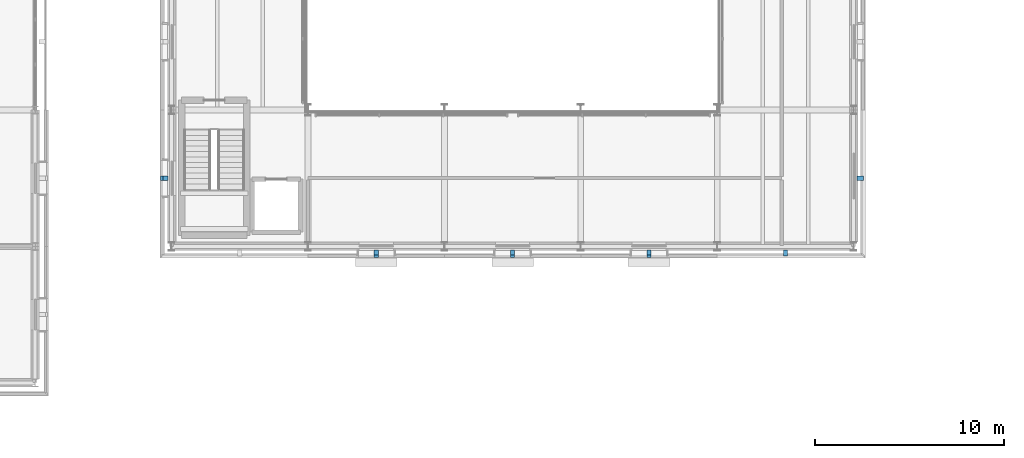
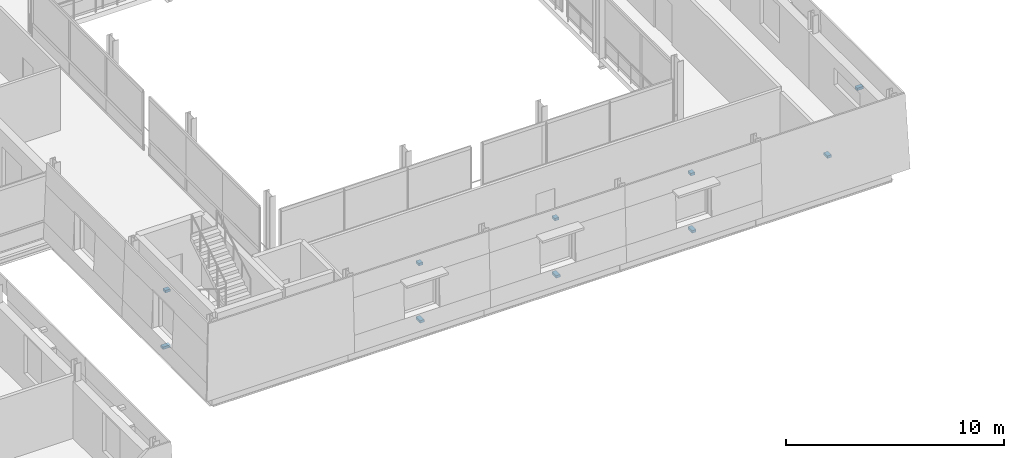
# One storey, part 82 of 115: 10 discrete accessories.
"""IFC4 building model written with IfcOpenShell, lengths in metres."""

from ifc_helpers import new_model, si_unit, direction, frame, origin, origin_2d, place, context, subcontext, project, spatial, rectangle, extrude, material, layer, layer_set, type_object, element, save


model = new_model("IFC4")

# Units and contexts
model_context = context("Model", 3, precision=1e-05, world=origin(), true_north=direction((0.0, 1.0)))
body_context = subcontext(model_context, "Body", "Model", "MODEL_VIEW")
ifc_project = project(units=[si_unit("LENGTHUNIT", "METRE"), si_unit("AREAUNIT", "SQUARE_METRE"), si_unit("VOLUMEUNIT", "CUBIC_METRE"), si_unit("PLANEANGLEUNIT", "RADIAN"), si_unit("MASSUNIT", "GRAM", prefix="KILO")], contexts=[model_context])

# Site, building, storey
site_placement = place(None, origin())
site = spatial("IfcSite", under=ifc_project, at=site_placement, CompositionType="ELEMENT")
building_placement = place(site_placement, origin())
building = spatial("IfcBuilding", under=site, at=building_placement, Name="Narikvali Park Central Library", CompositionType="ELEMENT")
storey_placement = place(building_placement, frame((0.0, 0.0, 10.199951171875)))
storey = spatial("IfcBuildingStorey", under=building, at=storey_placement, Name="L02", CompositionType="ELEMENT", Elevation=10.199951171875)

# Discrete accessories
ifc_material = material(Name="Brushed Stainless Steel S355", Category="steel")
ifc_layer = layer(ifc_material, 0.139892578125, Name="Brushed Stainless Steel S355")
ifc_layer_set = layer_set([ifc_layer], Name="Brushed Stainless Steel S355")
discrete_accessory_type = type_object("IfcDiscreteAccessoryType", Name="Cladding Stainless Tie-Back Corbel Bracket", PredefinedType="BRACKET", material=ifc_layer_set)
discrete_accessory_1_placement = place(storey_placement, frame((75.60009765625, 57.21337890625, 0.4052734375), z_axis=(0.0, 0.0, 1.0), x_axis=(1.0, 0.0, 0.0)))
element("IfcDiscreteAccessory", 1, at=discrete_accessory_1_placement, inside=storey, type_object=discrete_accessory_type, Name="Limestone Cladding Tie-Back Bracket V1-CLD-L02-S-B02-SP", PredefinedType="BRACKET", context=body_context, shape_type="SweptSolid", body=[
    extrude(rectangle(XDim=0.219970703125, YDim=0.393310546875, at=origin_2d()), origin(), (0.0, 0.0, 1.0), 0.139892578125),
])
discrete_accessory_2_placement = place(storey_placement, frame((75.60009765625, 57.27734375, 3.5302734375), z_axis=(0.0, 0.0, 1.0), x_axis=(1.0, 0.0, 0.0)))
element("IfcDiscreteAccessory", 2, at=discrete_accessory_2_placement, inside=storey, type_object=discrete_accessory_type, Name="Limestone Cladding Tie-Back Bracket V1-CLD-L02-S-B02-LN", PredefinedType="BRACKET", context=body_context, shape_type="SweptSolid", body=[
    extrude(rectangle(XDim=0.219970703125, YDim=0.26513671875, at=origin_2d()), origin(), (0.0, 0.0, 1.0), 0.139892578125),
])
discrete_accessory_3_placement = place(storey_placement, frame((82.800048828125, 57.21337890625, 0.4052734375), z_axis=(0.0, 0.0, 1.0), x_axis=(1.0, 0.0, 0.0)))
element("IfcDiscreteAccessory", 3, at=discrete_accessory_3_placement, inside=storey, type_object=discrete_accessory_type, Name="Limestone Cladding Tie-Back Bracket V1-CLD-L02-S-B03-SP", PredefinedType="BRACKET", context=body_context, shape_type="SweptSolid", body=[
    extrude(rectangle(XDim=0.219970703125, YDim=0.393310546875, at=origin_2d()), origin(), (0.0, 0.0, 1.0), 0.139892578125),
])
discrete_accessory_4_placement = place(storey_placement, frame((82.800048828125, 57.27734375, 3.5302734375), z_axis=(0.0, 0.0, 1.0), x_axis=(1.0, 0.0, 0.0)))
element("IfcDiscreteAccessory", 4, at=discrete_accessory_4_placement, inside=storey, type_object=discrete_accessory_type, Name="Limestone Cladding Tie-Back Bracket V1-CLD-L02-S-B03-LN", PredefinedType="BRACKET", context=body_context, shape_type="SweptSolid", body=[
    extrude(rectangle(XDim=0.219970703125, YDim=0.26513671875, at=origin_2d()), origin(), (0.0, 0.0, 1.0), 0.139892578125),
])
discrete_accessory_5_placement = place(storey_placement, frame((90.0, 57.21337890625, 0.4052734375), z_axis=(0.0, 0.0, 1.0), x_axis=(1.0, 0.0, 0.0)))
element("IfcDiscreteAccessory", 5, at=discrete_accessory_5_placement, inside=storey, type_object=discrete_accessory_type, Name="Limestone Cladding Tie-Back Bracket V1-CLD-L02-S-B04-SP", PredefinedType="BRACKET", context=body_context, shape_type="SweptSolid", body=[
    extrude(rectangle(XDim=0.219970703125, YDim=0.393310546875, at=origin_2d()), origin(), (0.0, 0.0, 1.0), 0.139892578125),
])
discrete_accessory_6_placement = place(storey_placement, frame((90.0, 57.27734375, 3.5302734375), z_axis=(0.0, 0.0, 1.0), x_axis=(1.0, 0.0, 0.0)))
element("IfcDiscreteAccessory", 6, at=discrete_accessory_6_placement, inside=storey, type_object=discrete_accessory_type, Name="Limestone Cladding Tie-Back Bracket V1-CLD-L02-S-B04-LN", PredefinedType="BRACKET", context=body_context, shape_type="SweptSolid", body=[
    extrude(rectangle(XDim=0.219970703125, YDim=0.26513671875, at=origin_2d()), origin(), (0.0, 0.0, 1.0), 0.139892578125),
])
discrete_accessory_7_placement = place(storey_placement, frame((97.199951171875, 57.24658203125, 2.0302734375), z_axis=(0.0, 0.0, 1.0), x_axis=(1.0, 0.0, 0.0)))
element("IfcDiscreteAccessory", 7, at=discrete_accessory_7_placement, inside=storey, type_object=discrete_accessory_type, Name="Limestone Cladding Tie-Back Bracket V1-CLD-L02-S-B05-FULL", PredefinedType="BRACKET", context=body_context, shape_type="SweptSolid", body=[
    extrude(rectangle(XDim=0.219970703125, YDim=0.32666015625, at=origin_2d()), origin(), (0.0, 0.0, 1.0), 0.139892578125),
])
discrete_accessory_8_placement = place(storey_placement, frame((101.1533203125, 61.199951171875, 2.0302734375), z_axis=(0.0, 0.0, 1.0), x_axis=(1.0, 0.0, 0.0)))
element("IfcDiscreteAccessory", 8, at=discrete_accessory_8_placement, inside=storey, type_object=discrete_accessory_type, Name="Limestone Cladding Tie-Back Bracket V1-CLD-L02-E-B01-FULL", PredefinedType="BRACKET", context=body_context, shape_type="SweptSolid", body=[
    extrude(rectangle(XDim=0.32666015625, YDim=0.219970703125, at=origin_2d()), origin(), (0.0, 0.0, 1.0), 0.139892578125),
])
discrete_accessory_9_placement = place(storey_placement, frame((64.413330078125, 61.199951171875, 0.4052734375), z_axis=(0.0, 0.0, 1.0), x_axis=(1.0, 0.0, 0.0)))
element("IfcDiscreteAccessory", 9, at=discrete_accessory_9_placement, inside=storey, type_object=discrete_accessory_type, Name="Limestone Cladding Tie-Back Bracket V1-CLD-L02-W-B05-SP", PredefinedType="BRACKET", context=body_context, shape_type="SweptSolid", body=[
    extrude(rectangle(XDim=0.393310546875, YDim=0.219970703125, at=origin_2d()), origin(), (0.0, 0.0, 1.0), 0.139892578125),
])
discrete_accessory_10_placement = place(storey_placement, frame((64.477294921875, 61.199951171875, 3.5302734375), z_axis=(0.0, 0.0, 1.0), x_axis=(1.0, 0.0, 0.0)))
element("IfcDiscreteAccessory", 10, at=discrete_accessory_10_placement, inside=storey, type_object=discrete_accessory_type, Name="Limestone Cladding Tie-Back Bracket V1-CLD-L02-W-B05-LN", PredefinedType="BRACKET", context=body_context, shape_type="SweptSolid", body=[
    extrude(rectangle(XDim=0.26513671875, YDim=0.219970703125, at=origin_2d()), origin(), (0.0, 0.0, 1.0), 0.139892578125),
])

save(model, "model.ifc")
